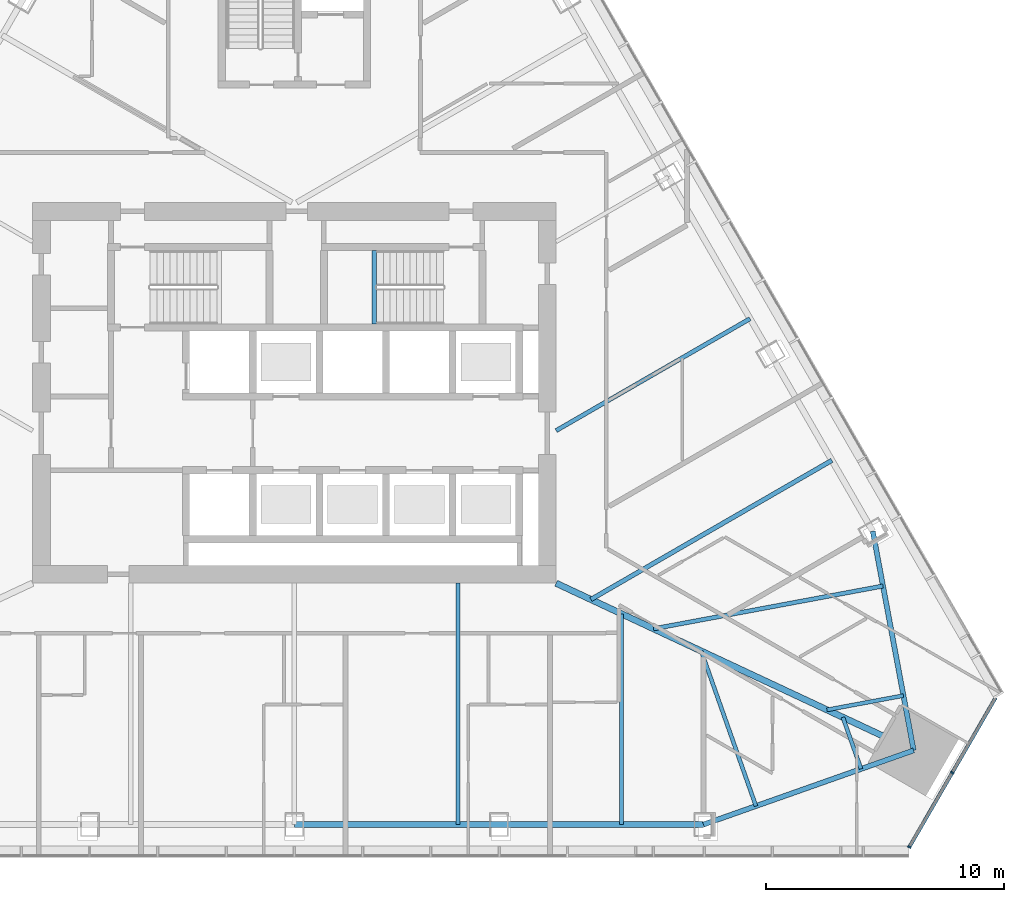
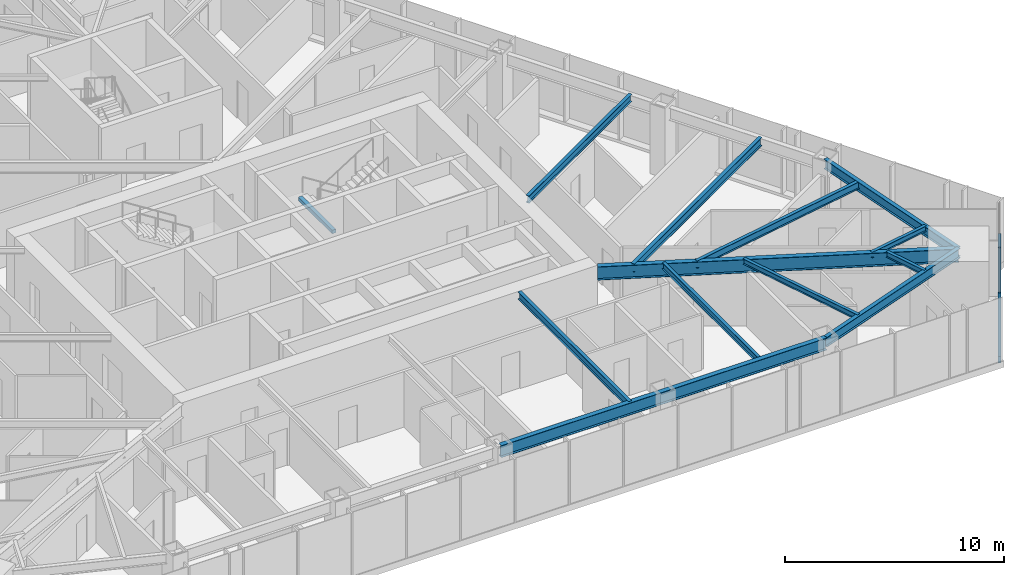
# One storey, part 5 of 16: 13 beams, 4 members, 1 element without a shape of its own.
"""IFC4 building model written with IfcOpenShell, lengths in metres."""

import ifcopenshell
import ifcopenshell.guid

model = None  # the IFC model being written
_history = None  # IfcOwnerHistory: only IFC2X3 demands one
_inside = {}  # id of a spatial element -> (the spatial element, [elements in it])
_under = {}  # id of a project, library or spatial element -> (it, [spatial elements below it])
_declared = {}  # id of a project -> (the project, [libraries it declares])
_typed = {}  # id of a type object -> (the type object, [elements of that type])
_made_of = {}  # id of a material, layer set ... -> (it, [elements and type objects made of it])


def new_model(schema):
    """Start an empty IFC model of exactly this schema.

    Asked for "IFC4X3", IfcOpenShell would pick the latest addendum, in which some entities
    have other attributes; the version numbers below select the first issue.
    IFC2X3 requires an IfcOwnerHistory on every rooted entity: one is made here for all.
    """
    global model, _history
    if schema == "IFC4X3":
        model = ifcopenshell.file(schema_version=(4, 3, 0, 0))
    else:
        model = ifcopenshell.file(schema=schema)
    _inside.clear()
    _under.clear()
    _declared.clear()
    _typed.clear()
    _made_of.clear()
    _history = None
    if model.schema == "IFC2X3":
        org = make("IfcOrganization", Name="unknown")
        user = make(
            "IfcPersonAndOrganization",
            ThePerson=make("IfcPerson", FamilyName="unknown"),
            TheOrganization=org,
        )
        app = make(
            "IfcApplication",
            ApplicationDeveloper=org,
            Version="unknown",
            ApplicationFullName="unknown",
            ApplicationIdentifier="unknown",
        )
        _history = make(
            "IfcOwnerHistory",
            OwningUser=user,
            OwningApplication=app,
            ChangeAction="ADDED",
            CreationDate=0,
        )
    return model


def make(cls, **values):
    """One entity of the class cls with the attributes given. An attribute that is None is left unset."""
    return model.create_entity(
        cls, **{name: value for name, value in values.items() if value is not None}
    )


def rooted(cls, **values):
    """An entity with a GlobalId (a new one), such as an element, a storey or a relation."""
    return make(cls, GlobalId=ifcopenshell.guid.new(), OwnerHistory=_history, **values)


def si_unit(unit_type, name, prefix=None):
    """IfcSIUnit, for example si_unit("LENGTHUNIT", "METRE", prefix="MILLI")."""
    return make("IfcSIUnit", UnitType=unit_type, Prefix=prefix, Name=name)


def assignment(units):
    """IfcUnitAssignment: the units of a project."""
    return None if units is None else make("IfcUnitAssignment", Units=units)


def point(xyz):
    """IfcCartesianPoint."""
    return None if xyz is None else make("IfcCartesianPoint", Coordinates=xyz)


def direction(xyz):
    """IfcDirection."""
    return None if xyz is None else make("IfcDirection", DirectionRatios=xyz)


def frame(location, z_axis=None, x_axis=None):
    """IfcAxis2Placement3D, a coordinate frame: its origin and axes. An axis left out is left unset."""
    return make(
        "IfcAxis2Placement3D",
        Location=point(location),
        Axis=direction(z_axis),
        RefDirection=direction(x_axis),
    )


def frame_2d(location, x_axis=None):
    """IfcAxis2Placement2D, a coordinate frame in the plane: its origin and x axis."""
    return make(
        "IfcAxis2Placement2D", Location=point(location), RefDirection=direction(x_axis)
    )


def origin():
    """The frame at (0, 0, 0) with its axes left unset."""
    return frame((0.0, 0.0, 0.0))


def origin_2d():
    """The frame at (0, 0) in the plane with its x axis left unset."""
    return frame_2d((0.0, 0.0))


def place(relative_to, where):
    """IfcLocalPlacement: puts the frame where relative to a parent placement (None: the world)."""
    return make(
        "IfcLocalPlacement", PlacementRelTo=relative_to, RelativePlacement=where
    )


def context(
    kind, dimensions, precision=None, world=None, true_north=None, identifier=None
):
    """IfcGeometricRepresentationContext, for example the 3D "Model" context."""
    return make(
        "IfcGeometricRepresentationContext",
        ContextIdentifier=identifier,
        ContextType=kind,
        CoordinateSpaceDimension=dimensions,
        Precision=precision,
        WorldCoordinateSystem=world,
        TrueNorth=true_north,
    )


def subcontext(parent, identifier, kind, view, scale=None):
    """IfcGeometricRepresentationSubContext, for example "Body" below "Model"."""
    return make(
        "IfcGeometricRepresentationSubContext",
        ContextIdentifier=identifier,
        ContextType=kind,
        ParentContext=parent,
        TargetScale=scale,
        TargetView=view,
    )


def project(units=None, contexts=None):
    """IfcProject with its units and contexts."""
    return rooted(
        "IfcProject",
        Name="project",
        RepresentationContexts=contexts,
        UnitsInContext=assignment(units),
    )


def spatial(cls, under=None, at=None, **own):
    """A site, building, storey or space (cls), placed at a placement, below another one or the project."""
    s = rooted(cls, ObjectPlacement=at, **own)
    if under is not None:
        _under.setdefault(under.id(), (under, []))[1].append(s)
    return s


def profile(cls, at=None, kind="AREA", **sizes):
    """A parametric profile (cls). Its sizes go by their IFC names, for example OverallWidth=200.0."""
    return make(cls, ProfileType=kind, Position=at, **sizes)


def rectangle(**sizes):
    """IfcRectangleProfileDef."""
    return profile("IfcRectangleProfileDef", **sizes)


def i_section(**sizes):
    """IfcIShapeProfileDef."""
    return profile("IfcIShapeProfileDef", **sizes)


def extrude(swept, where, along, depth):
    """IfcExtrudedAreaSolid: the profile swept, set in the frame where, extruded along a direction by depth."""
    return make(
        "IfcExtrudedAreaSolid",
        SweptArea=swept,
        Position=where,
        ExtrudedDirection=direction(along),
        Depth=depth,
    )


def shape(context_of_items, identifier, shape_type, items):
    """IfcShapeRepresentation: the items that make up one representation, for example the "Body"."""
    return make(
        "IfcShapeRepresentation",
        ContextOfItems=context_of_items,
        RepresentationIdentifier=identifier,
        RepresentationType=shape_type,
        Items=items,
    )


def material(Name=None, Category=None):
    """IfcMaterial."""
    return make("IfcMaterial", Name=Name, Category=Category)


def layer(
    of_material, thickness, ventilated=None, Name=None, Category=None, Priority=None
):
    """IfcMaterialLayer: one layer of a wall or slab, of a material (None: an air gap)."""
    return make(
        "IfcMaterialLayer",
        Material=of_material,
        LayerThickness=thickness,
        IsVentilated=ventilated,
        Name=Name,
        Category=Category,
        Priority=Priority,
    )


def layer_set(layers, Name=None):
    """IfcMaterialLayerSet."""
    return make("IfcMaterialLayerSet", MaterialLayers=layers, LayerSetName=Name)


def material_profile(
    of_material, cross_section, Name=None, Category=None, Priority=None
):
    """IfcMaterialProfile: a cross section and its material."""
    return make(
        "IfcMaterialProfile",
        Name=Name,
        Material=of_material,
        Profile=cross_section,
        Priority=Priority,
        Category=Category,
    )


def profile_set(profiles, Name=None, composite=None):
    """IfcMaterialProfileSet."""
    return make(
        "IfcMaterialProfileSet",
        Name=Name,
        MaterialProfiles=profiles,
        CompositeProfile=composite,
    )


def made_of(thing, what):
    """Note that an element or type object is made of a material, layer set ...; save() writes the relation."""
    if what is not None:
        _made_of.setdefault(what.id(), (what, []))[1].append(thing)
    return thing


def type_object(cls, material=None, **own):
    """A type object (cls), such as IfcWallType, which elements share."""
    return made_of(rooted(cls, **own), material)


def element(
    cls,
    number,
    at=None,
    inside=None,
    cuts=None,
    type_object=None,
    material=None,
    context=None,
    identifier="Body",
    shape_type=None,
    held_by="IfcProductDefinitionShape",
    body=None,
    shapes=None,
    **own,
):
    """One element of the class cls, such as IfcWall. Its Tag is "e" and its number.

    at: its placement. inside: the storey or other place that contains it. cuts: it is an
    opening in that element (IfcRelVoidsElement). A single representation is given by context,
    identifier, shape_type and body (its items); several are given by shapes. held_by: the class
    of the entity that holds the representations. save() writes the other relations.
    """
    e = rooted(cls, Tag="e%d" % number, ObjectPlacement=at, **own)
    if body is not None:
        shapes = [shape(context, identifier, shape_type, body)]
    if shapes is not None:
        e.Representation = make(held_by, Representations=shapes)
    if inside is not None:
        _inside.setdefault(inside.id(), (inside, []))[1].append(e)
    if cuts is not None:
        rooted(
            "IfcRelVoidsElement", RelatingBuildingElement=cuts, RelatedOpeningElement=e
        )
    if type_object is not None:
        _typed.setdefault(type_object.id(), (type_object, []))[1].append(e)
    return made_of(e, material)


def aggregate(whole, parts):
    """IfcRelAggregates: a whole, such as a stair, and the parts it consists of."""
    return rooted("IfcRelAggregates", RelatingObject=whole, RelatedObjects=parts)


def save(model, path):
    """Write the relations noted so far, then the file.

    IfcRelAggregates (storeys below a building ...), IfcRelContainedInSpatialStructure (elements
    in a storey), IfcRelDefinesByType, IfcRelAssociatesMaterial and IfcRelDeclares: one each for
    every whole, place, type object, material and project.
    """
    for whole, parts in _under.values():
        aggregate(whole, parts)
    for where, things in _inside.values():
        rooted(
            "IfcRelContainedInSpatialStructure",
            RelatedElements=things,
            RelatingStructure=where,
        )
    for kind, things in _typed.values():
        rooted("IfcRelDefinesByType", RelatedObjects=things, RelatingType=kind)
    for what, things in _made_of.values():
        rooted("IfcRelAssociatesMaterial", RelatedObjects=things, RelatingMaterial=what)
    for by, libraries in _declared.values():
        rooted("IfcRelDeclares", RelatingContext=by, RelatedDefinitions=libraries)
    model.write(path)


model = new_model("IFC4")

# Units and contexts
model_context = context("Model", 3, precision=1e-05, world=origin(), true_north=direction((0.0, 1.0)))
body_context = subcontext(model_context, "Body", "Model", "MODEL_VIEW")
ifc_project = project(units=[si_unit("LENGTHUNIT", "METRE"), si_unit("AREAUNIT", "SQUARE_METRE"), si_unit("VOLUMEUNIT", "CUBIC_METRE"), si_unit("PLANEANGLEUNIT", "RADIAN"), si_unit("MASSUNIT", "GRAM", prefix="KILO")], contexts=[model_context])

# Site, building, storey
site_placement = place(None, origin())
site = spatial("IfcSite", under=ifc_project, at=site_placement, CompositionType="ELEMENT")
building_placement = place(site_placement, origin())
building = spatial("IfcBuilding", under=site, at=building_placement, Name="Firuza Gate Tower and Library", CompositionType="ELEMENT")
storey_placement = place(building_placement, frame((0.0, 0.0, 198.699951171875)))
storey = spatial("IfcBuildingStorey", under=building, at=storey_placement, Name="L46", CompositionType="ELEMENT", Elevation=198.699951171875)

# Curtain wall, members
ifc_material_1 = material(Name="Aluminium 6063-T6", Category="aluminium")
ifc_layer = layer(ifc_material_1, 0.14990234375)
ifc_layer_set = layer_set([ifc_layer], Name="Corner curtain wall, chamfers")
curtain_wall_type = type_object("IfcCurtainWallType", Name="Corner curtain wall, chamfers", PredefinedType="NOTDEFINED", material=ifc_layer_set)
curtain_wall_placement = place(storey_placement, origin())
curtain_wall = element("IfcCurtainWall", 1, at=curtain_wall_placement, inside=storey, type_object=curtain_wall_type, Name="CW4 L46 SE corner", PredefinedType="NOTDEFINED")
ifc_material_2 = material(Name="Aluminium 6063-T6", Category="aluminium")
ifc_material_profile_1 = material_profile(ifc_material_2, rectangle(XDim=0.14990234375, YDim=0.080078125, at=origin_2d()))
ifc_profile_set_1 = profile_set([ifc_material_profile_1], Name="Aluminium 6063-T6")
member_type_1 = type_object("IfcMemberType", Name="Curtain wall mullion 80x150", PredefinedType="MULLION", material=ifc_profile_set_1)
member_1_placement = place(storey_placement, frame((100.844482421875, 55.91796875, 0.150146484375), z_axis=(0.0, 0.0, 1.0), x_axis=(-0.866025403784, 0.5, 0.0)))
member_1 = element("IfcMember", 2, at=member_1_placement, type_object=member_type_1, Name="Mullion", PredefinedType="MULLION", context=body_context, shape_type="SweptSolid", body=[
    extrude(rectangle(XDim=0.14990234375, YDim=0.080078125, at=origin_2d()), origin(), (0.0, 0.0, 1.0), 3.5498046875),
])
member_2_placement = place(storey_placement, frame((102.646240234375, 59.03857421875, 0.150146484375), z_axis=(0.0, 0.0, 1.0), x_axis=(-0.866025403784, 0.5, 0.0)))
member_2 = element("IfcMember", 3, at=member_2_placement, type_object=member_type_1, Name="Mullion", PredefinedType="MULLION", context=body_context, shape_type="SweptSolid", body=[
    extrude(rectangle(XDim=0.14990234375, YDim=0.080078125, at=origin_2d()), origin(), (0.0, 0.0, 1.0), 3.5498046875),
])
ifc_material_3 = material(Name="Aluminium 6063-T6", Category="aluminium")
ifc_material_profile_2 = material_profile(ifc_material_3, rectangle(XDim=0.14990234375, YDim=0.35009765625, at=origin_2d()))
ifc_profile_set_2 = profile_set([ifc_material_profile_2], Name="Aluminium 6063-T6")
member_type_2 = type_object("IfcMemberType", Name="Curtain wall transom 350x150", PredefinedType="USERDEFINED", material=ifc_profile_set_2)
member_3_placement = place(storey_placement, frame((100.824462890625, 55.88330078125, -0.02490234375), z_axis=(0.500005719219, 0.866022101766, 0.0), x_axis=(-0.866022101766, 0.500005719219, 0.0)))
member_3 = element("IfcMember", 4, at=member_3_placement, type_object=member_type_2, Name="Transom", ObjectType="TRANSOM", PredefinedType="USERDEFINED", context=body_context, shape_type="SweptSolid", body=[
    extrude(rectangle(XDim=0.14990234375, YDim=0.35009765625, at=origin_2d()), origin(), (0.0, 0.0, 1.0), 7.28662109375),
])
ifc_material_4 = material(Name="Aluminium 6063-T6", Category="aluminium")
ifc_material_profile_3 = material_profile(ifc_material_4, rectangle(XDim=0.14990234375, YDim=0.080078125, at=origin_2d()))
ifc_profile_set_3 = profile_set([ifc_material_profile_3], Name="Aluminium 6063-T6")
member_type_3 = type_object("IfcMemberType", Name="Curtain wall transom 80x150", PredefinedType="USERDEFINED", material=ifc_profile_set_3)
member_4_placement = place(storey_placement, frame((102.666259765625, 59.0732421875, 1.925048828125), z_axis=(0.49999331656, 0.866029262436, 0.0), x_axis=(-0.866029262436, 0.49999331656, 0.0)))
member_4 = element("IfcMember", 5, at=member_4_placement, type_object=member_type_3, Name="Transom", ObjectType="TRANSOM", PredefinedType="USERDEFINED", context=body_context, shape_type="SweptSolid", body=[
    extrude(rectangle(XDim=0.14990234375, YDim=0.080078125, at=origin_2d()), origin(), (0.0, 0.0, 1.0), 3.56298828125),
])
aggregate(curtain_wall, [member_1, member_2, member_3, member_4])

# Beams
ifc_material_5 = material(Name="Concrete C35/45", Category="concrete")
ifc_material_profile_4 = material_profile(ifc_material_5, rectangle(XDim=0.199951171875, YDim=0.199951171875, at=origin_2d()))
ifc_profile_set_4 = profile_set([ifc_material_profile_4], Name="Concrete C35/45")
beam_type_1 = type_object("IfcBeamType", Name="Stair landing bearer 200x200", PredefinedType="BEAM", material=ifc_profile_set_4)
beam_1_placement = place(storey_placement, frame((78.360107421875, 80.97998046875, 1.650146484375), z_axis=(0.0, -1.0, 0.0), x_axis=(1.0, 0.0, 0.0)))
element("IfcBeam", 6, at=beam_1_placement, inside=storey, type_object=beam_type_1, Name="Landing bearer L46 stair 2", PredefinedType="BEAM", context=body_context, shape_type="SweptSolid", body=[
    extrude(rectangle(XDim=0.199951171875, YDim=0.199951171875, at=origin_2d()), origin(), (0.0, 0.0, 1.0), 3.080078125),
])
ifc_material_6 = material(Name="Steel S355", Category="steel")
ifc_material_profile_5 = material_profile(ifc_material_6, i_section(OverallWidth=0.1650390625, OverallDepth=0.31005859375, WebThickness=0.005859375, FlangeThickness=0.009765625, at=origin_2d()))
ifc_profile_set_5 = profile_set([ifc_material_profile_5], Name="Steel S355")
beam_type_2 = type_object("IfcBeamType", Name="W310x39 Floor beam", PredefinedType="JOIST", material=ifc_profile_set_5)
beam_2_placement = place(storey_placement, frame((94.396240234375, 57.6376953125, 3.545166015625), z_axis=(-0.332781274882, 0.943004041925, 0.0), x_axis=(-0.943004041925, -0.332781274882, 0.0)))
element("IfcBeam", 7, at=beam_2_placement, inside=storey, type_object=beam_type_2, Name="Floor beam L46 s30", PredefinedType="JOIST", context=body_context, shape_type="SweptSolid", body=[
    extrude(i_section(OverallWidth=0.1650390625, OverallDepth=0.31005859375, WebThickness=0.005859375, FlangeThickness=0.009765625, at=origin_2d()), origin(), (0.0, 0.0, 1.0), 6.904296875),
])
beam_3_placement = place(storey_placement, frame((98.813720703125, 59.196533203125, 3.545166015625), z_axis=(-0.332792371973, 0.943000125746, 0.0), x_axis=(-0.943000125746, -0.332792371973, 0.0)))
element("IfcBeam", 8, at=beam_3_placement, inside=storey, type_object=beam_type_2, Name="Floor beam L46 s31", PredefinedType="JOIST", context=body_context, shape_type="SweptSolid", body=[
    extrude(i_section(OverallWidth=0.1650390625, OverallDepth=0.31005859375, WebThickness=0.005859375, FlangeThickness=0.009765625, at=origin_2d()), origin(), (0.0, 0.0, 1.0), 2.30126953125),
])
beam_4_placement = place(storey_placement, frame((100.593017578125, 62.278564453125, 3.545166015625), z_axis=(-0.98304592643, -0.183359500789, 0.0), x_axis=(0.183359500789, -0.98304592643, 0.0)))
element("IfcBeam", 9, at=beam_4_placement, inside=storey, type_object=beam_type_2, Name="Floor beam L46 s40", PredefinedType="JOIST", context=body_context, shape_type="SweptSolid", body=[
    extrude(i_section(OverallWidth=0.1650390625, OverallDepth=0.31005859375, WebThickness=0.005859375, FlangeThickness=0.009765625, at=origin_2d()), origin(), (0.0, 0.0, 1.0), 3.268798828125),
])
ifc_material_7 = material(Name="Steel S355", Category="steel")
ifc_material_profile_6 = material_profile(ifc_material_7, i_section(OverallWidth=0.1708984375, OverallDepth=0.35498046875, WebThickness=0.007080078125, FlangeThickness=0.01171875, at=origin_2d()))
ifc_profile_set_6 = profile_set([ifc_material_profile_6], Name="Steel S355")
beam_type_3 = type_object("IfcBeamType", Name="W360x51 Floor beam", PredefinedType="JOIST", material=ifc_profile_set_6)
beam_5_placement = place(storey_placement, frame((88.75, 56.8583984375, 3.5224609375), z_axis=(0.0, 1.0, 0.0), x_axis=(-1.0, 0.0, 0.0)))
element("IfcBeam", 10, at=beam_5_placement, inside=storey, type_object=beam_type_3, Name="Floor beam L46 s24", PredefinedType="JOIST", context=body_context, shape_type="SweptSolid", body=[
    extrude(i_section(OverallWidth=0.1708984375, OverallDepth=0.35498046875, WebThickness=0.007080078125, FlangeThickness=0.01171875, at=origin_2d()), origin(), (0.0, 0.0, 1.0), 8.855712890625),
])
ifc_material_8 = material(Name="Steel S355", Category="steel")
ifc_material_profile_7 = material_profile(ifc_material_8, i_section(OverallWidth=0.177978515625, OverallDepth=0.406982421875, WebThickness=0.0078125, FlangeThickness=0.0126953125, at=origin_2d()))
ifc_profile_set_7 = profile_set([ifc_material_profile_7], Name="Steel S355")
beam_type_4 = type_object("IfcBeamType", Name="W410x60 Floor beam", PredefinedType="JOIST", material=ifc_profile_set_7)
beam_6_placement = place(storey_placement, frame((81.875, 56.8583984375, 3.49658203125), z_axis=(0.0, 1.0, 0.0), x_axis=(-1.0, 0.0, 0.0)))
element("IfcBeam", 11, at=beam_6_placement, inside=storey, type_object=beam_type_4, Name="Floor beam L46 s23", PredefinedType="JOIST", context=body_context, shape_type="SweptSolid", body=[
    extrude(i_section(OverallWidth=0.177978515625, OverallDepth=0.406982421875, WebThickness=0.0078125, FlangeThickness=0.0126953125, at=origin_2d()), origin(), (0.0, 0.0, 1.0), 10.1416015625),
])
beam_7_placement = place(storey_placement, frame((99.734375, 66.883544921875, 3.49658203125), z_axis=(-0.983056573465, -0.183302409604, 0.0), x_axis=(0.183302409604, -0.983056573465, 0.0)))
element("IfcBeam", 12, at=beam_7_placement, inside=storey, type_object=beam_type_4, Name="Floor beam L46 s41", PredefinedType="JOIST", context=body_context, shape_type="SweptSolid", body=[
    extrude(i_section(OverallWidth=0.177978515625, OverallDepth=0.406982421875, WebThickness=0.0078125, FlangeThickness=0.0126953125, at=origin_2d()), origin(), (0.0, 0.0, 1.0), 9.806884765625),
])
beam_8_placement = place(storey_placement, frame((94.148681640625, 78.116943359375, 3.49658203125), z_axis=(-0.86602787481, -0.499995720034, 0.0), x_axis=(0.499995720034, -0.86602787481, 0.0)))
element("IfcBeam", 13, at=beam_8_placement, inside=storey, type_object=beam_type_4, Name="Floor beam L46 s51", PredefinedType="JOIST", context=body_context, shape_type="SweptSolid", body=[
    extrude(i_section(OverallWidth=0.177978515625, OverallDepth=0.406982421875, WebThickness=0.0078125, FlangeThickness=0.0126953125, at=origin_2d()), origin(), (0.0, 0.0, 1.0), 9.4091796875),
])
ifc_material_9 = material(Name="Steel S355", Category="steel")
ifc_material_profile_8 = material_profile(ifc_material_9, i_section(OverallWidth=0.18994140625, OverallDepth=0.45703125, WebThickness=0.009033203125, FlangeThickness=0.014404296875, at=origin_2d()))
ifc_profile_set_8 = profile_set([ifc_material_profile_8], Name="Steel S355")
beam_type_5 = type_object("IfcBeamType", Name="W460x74 Floor beam", PredefinedType="JOIST", material=ifc_profile_set_8)
beam_9_placement = place(storey_placement, frame((97.586181640625, 72.1630859375, 3.471435546875), z_axis=(-0.866025630412, -0.49999960747, 0.0), x_axis=(0.49999960747, -0.866025630412, 0.0)))
element("IfcBeam", 14, at=beam_9_placement, inside=storey, type_object=beam_type_5, Name="Floor beam L46 s50", PredefinedType="JOIST", context=body_context, shape_type="SweptSolid", body=[
    extrude(i_section(OverallWidth=0.18994140625, OverallDepth=0.45703125, WebThickness=0.009033203125, FlangeThickness=0.014404296875, at=origin_2d()), origin(), (0.0, 0.0, 1.0), 11.69189453125),
])
ifc_material_10 = material(Name="Steel S355", Category="steel")
ifc_material_profile_9 = material_profile(ifc_material_10, i_section(OverallWidth=0.212890625, OverallDepth=0.5390625, WebThickness=0.01171875, FlangeThickness=0.018798828125, at=origin_2d()))
ifc_profile_set_9 = profile_set([ifc_material_profile_9], Name="Steel S355")
beam_type_6 = type_object("IfcBeamType", Name="W530x109 Edge beam", PredefinedType="SPANDREL", material=ifc_profile_set_9)
beam_10_placement = place(storey_placement, frame((92.1875, 56.8583984375, 3.4306640625), z_axis=(0.94300861327, 0.332768320754, 0.0), x_axis=(-0.332768320754, 0.94300861327, 0.0)))
element("IfcBeam", 15, at=beam_10_placement, inside=storey, type_object=beam_type_6, Name="Edge beam L46 e30", PredefinedType="SPANDREL", context=body_context, shape_type="SweptSolid", body=[
    extrude(i_section(OverallWidth=0.212890625, OverallDepth=0.5390625, WebThickness=0.01171875, FlangeThickness=0.018798828125, at=origin_2d()), origin(), (0.0, 0.0, 1.0), 9.368896484375),
])
beam_11_placement = place(storey_placement, frame((101.0224609375, 59.97607421875, 3.4306640625), z_axis=(-0.183325539485, 0.983052260347, 0.0), x_axis=(-0.983052260347, -0.183325539485, 0.0)))
element("IfcBeam", 16, at=beam_11_placement, inside=storey, type_object=beam_type_6, Name="Edge beam L46 e40", PredefinedType="SPANDREL", context=body_context, shape_type="SweptSolid", body=[
    extrude(i_section(OverallWidth=0.212890625, OverallDepth=0.5390625, WebThickness=0.01171875, FlangeThickness=0.018798828125, at=origin_2d()), origin(), (0.0, 0.0, 1.0), 9.36865234375),
])
ifc_material_11 = material(Name="Steel S355", Category="steel")
ifc_material_profile_10 = material_profile(ifc_material_11, i_section(OverallWidth=0.2529296875, OverallDepth=0.677978515625, WebThickness=0.01171875, FlangeThickness=0.016357421875, at=origin_2d()))
ifc_profile_set_10 = profile_set([ifc_material_profile_10], Name="Steel S355")
beam_type_7 = type_object("IfcBeamType", Name="W690x125 Edge beam", PredefinedType="SPANDREL", material=ifc_profile_set_10)
beam_12_placement = place(storey_placement, frame((75.0, 56.8583984375, 3.361083984375), z_axis=(1.0, 0.0, 0.0), x_axis=(0.0, 1.0, 0.0)))
element("IfcBeam", 17, at=beam_12_placement, inside=storey, type_object=beam_type_7, Name="Edge beam L46 e22", PredefinedType="SPANDREL", context=body_context, shape_type="SweptSolid", body=[
    extrude(i_section(OverallWidth=0.2529296875, OverallDepth=0.677978515625, WebThickness=0.01171875, FlangeThickness=0.016357421875, at=origin_2d()), origin(), (0.0, 0.0, 1.0), 17.1875),
])
ifc_material_12 = material(Name="Steel S355", Category="steel")
ifc_material_profile_11 = material_profile(ifc_material_12, i_section(OverallWidth=0.264892578125, OverallDepth=0.7529296875, WebThickness=0.01318359375, FlangeThickness=0.01708984375, at=origin_2d()))
ifc_profile_set_11 = profile_set([ifc_material_profile_11], Name="Steel S355")
beam_type_8 = type_object("IfcBeamType", Name="W760x147 Girder", PredefinedType="BEAM", material=ifc_profile_set_11)
beam_13_placement = place(storey_placement, frame((101.0224609375, 59.97607421875, 3.323486328125), z_axis=(-0.905872229673, 0.423551063637, 0.0), x_axis=(-0.423551063637, -0.905872229673, 0.0)))
element("IfcBeam", 18, at=beam_13_placement, inside=storey, type_object=beam_type_8, Name="Girder L46 gSE", PredefinedType="BEAM", context=body_context, shape_type="SweptSolid", body=[
    extrude(i_section(OverallWidth=0.264892578125, OverallDepth=0.7529296875, WebThickness=0.01318359375, FlangeThickness=0.01708984375, at=origin_2d()), origin(), (0.0, 0.0, 1.0), 16.58349609375),
])

save(model, "model.ifc")
